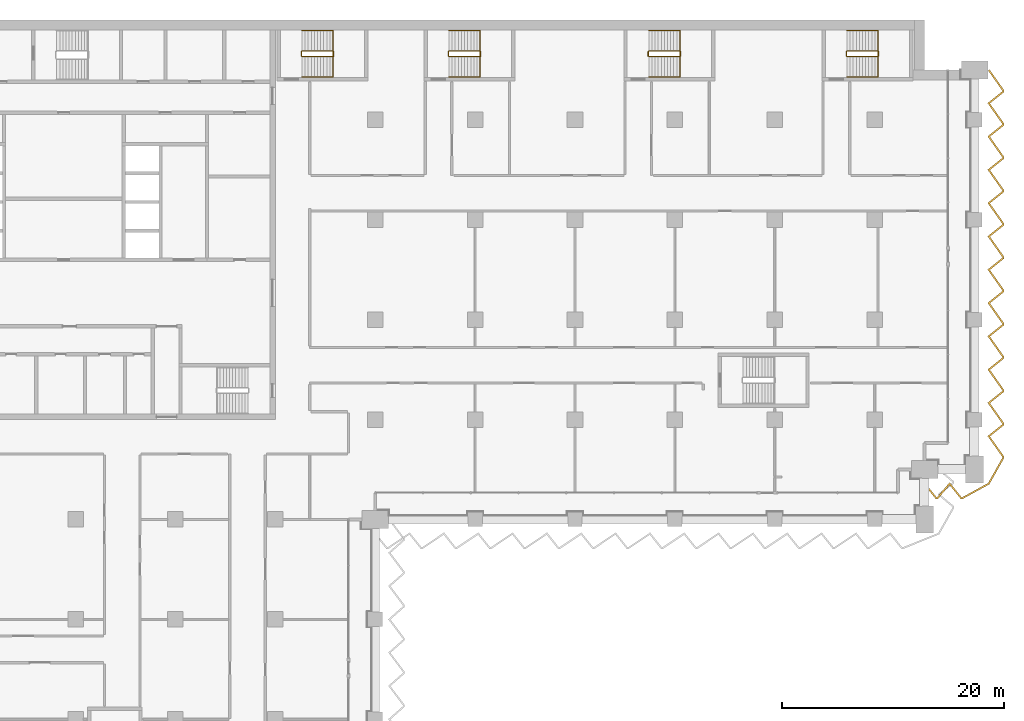
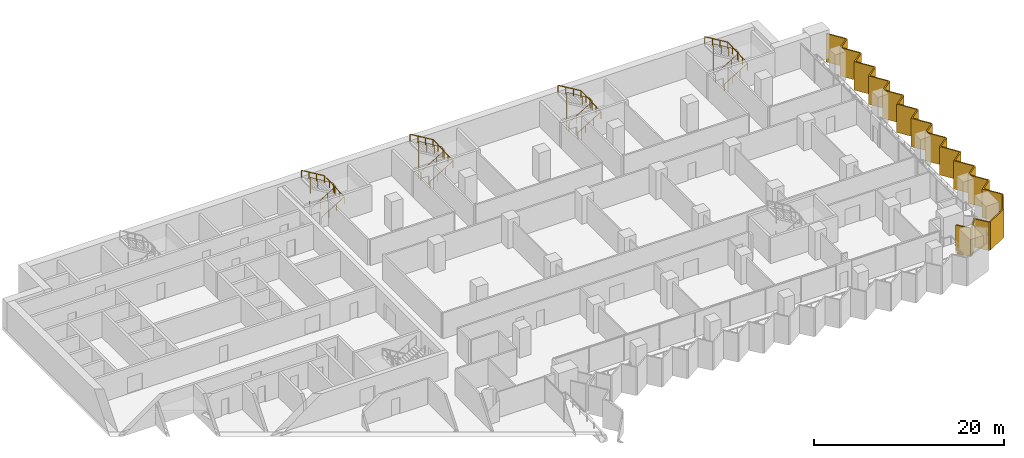
# One storey, part 27 of 28: 8 railings, 1 shading device.
"""IFC4 building model written with IfcOpenShell, lengths in metres."""

import ifcopenshell
import ifcopenshell.guid

model = None  # the IFC model being written
_history = None  # IfcOwnerHistory: only IFC2X3 demands one
_inside = {}  # id of a spatial element -> (the spatial element, [elements in it])
_under = {}  # id of a project, library or spatial element -> (it, [spatial elements below it])
_declared = {}  # id of a project -> (the project, [libraries it declares])
_typed = {}  # id of a type object -> (the type object, [elements of that type])
_made_of = {}  # id of a material, layer set ... -> (it, [elements and type objects made of it])


def new_model(schema):
    """Start an empty IFC model of exactly this schema.

    Asked for "IFC4X3", IfcOpenShell would pick the latest addendum, in which some entities
    have other attributes; the version numbers below select the first issue.
    IFC2X3 requires an IfcOwnerHistory on every rooted entity: one is made here for all.
    """
    global model, _history
    if schema == "IFC4X3":
        model = ifcopenshell.file(schema_version=(4, 3, 0, 0))
    else:
        model = ifcopenshell.file(schema=schema)
    _inside.clear()
    _under.clear()
    _declared.clear()
    _typed.clear()
    _made_of.clear()
    _history = None
    if model.schema == "IFC2X3":
        org = make("IfcOrganization", Name="unknown")
        user = make(
            "IfcPersonAndOrganization",
            ThePerson=make("IfcPerson", FamilyName="unknown"),
            TheOrganization=org,
        )
        app = make(
            "IfcApplication",
            ApplicationDeveloper=org,
            Version="unknown",
            ApplicationFullName="unknown",
            ApplicationIdentifier="unknown",
        )
        _history = make(
            "IfcOwnerHistory",
            OwningUser=user,
            OwningApplication=app,
            ChangeAction="ADDED",
            CreationDate=0,
        )
    return model


def make(cls, **values):
    """One entity of the class cls with the attributes given. An attribute that is None is left unset."""
    return model.create_entity(
        cls, **{name: value for name, value in values.items() if value is not None}
    )


def rooted(cls, **values):
    """An entity with a GlobalId (a new one), such as an element, a storey or a relation."""
    return make(cls, GlobalId=ifcopenshell.guid.new(), OwnerHistory=_history, **values)


def si_unit(unit_type, name, prefix=None):
    """IfcSIUnit, for example si_unit("LENGTHUNIT", "METRE", prefix="MILLI")."""
    return make("IfcSIUnit", UnitType=unit_type, Prefix=prefix, Name=name)


def assignment(units):
    """IfcUnitAssignment: the units of a project."""
    return None if units is None else make("IfcUnitAssignment", Units=units)


def point(xyz):
    """IfcCartesianPoint."""
    return None if xyz is None else make("IfcCartesianPoint", Coordinates=xyz)


def direction(xyz):
    """IfcDirection."""
    return None if xyz is None else make("IfcDirection", DirectionRatios=xyz)


def frame(location, z_axis=None, x_axis=None):
    """IfcAxis2Placement3D, a coordinate frame: its origin and axes. An axis left out is left unset."""
    return make(
        "IfcAxis2Placement3D",
        Location=point(location),
        Axis=direction(z_axis),
        RefDirection=direction(x_axis),
    )


def frame_2d(location, x_axis=None):
    """IfcAxis2Placement2D, a coordinate frame in the plane: its origin and x axis."""
    return make(
        "IfcAxis2Placement2D", Location=point(location), RefDirection=direction(x_axis)
    )


def origin():
    """The frame at (0, 0, 0) with its axes left unset."""
    return frame((0.0, 0.0, 0.0))


def origin_2d():
    """The frame at (0, 0) in the plane with its x axis left unset."""
    return frame_2d((0.0, 0.0))


def place(relative_to, where):
    """IfcLocalPlacement: puts the frame where relative to a parent placement (None: the world)."""
    return make(
        "IfcLocalPlacement", PlacementRelTo=relative_to, RelativePlacement=where
    )


def context(
    kind, dimensions, precision=None, world=None, true_north=None, identifier=None
):
    """IfcGeometricRepresentationContext, for example the 3D "Model" context."""
    return make(
        "IfcGeometricRepresentationContext",
        ContextIdentifier=identifier,
        ContextType=kind,
        CoordinateSpaceDimension=dimensions,
        Precision=precision,
        WorldCoordinateSystem=world,
        TrueNorth=true_north,
    )


def subcontext(parent, identifier, kind, view, scale=None):
    """IfcGeometricRepresentationSubContext, for example "Body" below "Model"."""
    return make(
        "IfcGeometricRepresentationSubContext",
        ContextIdentifier=identifier,
        ContextType=kind,
        ParentContext=parent,
        TargetScale=scale,
        TargetView=view,
    )


def project(units=None, contexts=None):
    """IfcProject with its units and contexts."""
    return rooted(
        "IfcProject",
        Name="project",
        RepresentationContexts=contexts,
        UnitsInContext=assignment(units),
    )


def spatial(cls, under=None, at=None, **own):
    """A site, building, storey or space (cls), placed at a placement, below another one or the project."""
    s = rooted(cls, ObjectPlacement=at, **own)
    if under is not None:
        _under.setdefault(under.id(), (under, []))[1].append(s)
    return s


def polyline(points):
    """IfcPolyline through the points."""
    return make("IfcPolyline", Points=[point(p) for p in points])


def profile(cls, at=None, kind="AREA", **sizes):
    """A parametric profile (cls). Its sizes go by their IFC names, for example OverallWidth=200.0."""
    return make(cls, ProfileType=kind, Position=at, **sizes)


def circle(**sizes):
    """IfcCircleProfileDef."""
    return profile("IfcCircleProfileDef", **sizes)


def outline(outer, holes=None, kind="AREA"):
    """IfcArbitraryClosedProfileDef: a profile drawn as a closed curve; with holes, ...WithVoids."""
    if holes is None:
        return make("IfcArbitraryClosedProfileDef", ProfileType=kind, OuterCurve=outer)
    return make(
        "IfcArbitraryProfileDefWithVoids",
        ProfileType=kind,
        OuterCurve=outer,
        InnerCurves=holes,
    )


def extrude(swept, where, along, depth):
    """IfcExtrudedAreaSolid: the profile swept, set in the frame where, extruded along a direction by depth."""
    return make(
        "IfcExtrudedAreaSolid",
        SweptArea=swept,
        Position=where,
        ExtrudedDirection=direction(along),
        Depth=depth,
    )


def shape(context_of_items, identifier, shape_type, items):
    """IfcShapeRepresentation: the items that make up one representation, for example the "Body"."""
    return make(
        "IfcShapeRepresentation",
        ContextOfItems=context_of_items,
        RepresentationIdentifier=identifier,
        RepresentationType=shape_type,
        Items=items,
    )


def material(Name=None, Category=None):
    """IfcMaterial."""
    return make("IfcMaterial", Name=Name, Category=Category)


def layer(
    of_material, thickness, ventilated=None, Name=None, Category=None, Priority=None
):
    """IfcMaterialLayer: one layer of a wall or slab, of a material (None: an air gap)."""
    return make(
        "IfcMaterialLayer",
        Material=of_material,
        LayerThickness=thickness,
        IsVentilated=ventilated,
        Name=Name,
        Category=Category,
        Priority=Priority,
    )


def layer_set(layers, Name=None):
    """IfcMaterialLayerSet."""
    return make("IfcMaterialLayerSet", MaterialLayers=layers, LayerSetName=Name)


def made_of(thing, what):
    """Note that an element or type object is made of a material, layer set ...; save() writes the relation."""
    if what is not None:
        _made_of.setdefault(what.id(), (what, []))[1].append(thing)
    return thing


def type_object(cls, material=None, **own):
    """A type object (cls), such as IfcWallType, which elements share."""
    return made_of(rooted(cls, **own), material)


def element(
    cls,
    number,
    at=None,
    inside=None,
    cuts=None,
    type_object=None,
    material=None,
    context=None,
    identifier="Body",
    shape_type=None,
    held_by="IfcProductDefinitionShape",
    body=None,
    shapes=None,
    **own,
):
    """One element of the class cls, such as IfcWall. Its Tag is "e" and its number.

    at: its placement. inside: the storey or other place that contains it. cuts: it is an
    opening in that element (IfcRelVoidsElement). A single representation is given by context,
    identifier, shape_type and body (its items); several are given by shapes. held_by: the class
    of the entity that holds the representations. save() writes the other relations.
    """
    e = rooted(cls, Tag="e%d" % number, ObjectPlacement=at, **own)
    if body is not None:
        shapes = [shape(context, identifier, shape_type, body)]
    if shapes is not None:
        e.Representation = make(held_by, Representations=shapes)
    if inside is not None:
        _inside.setdefault(inside.id(), (inside, []))[1].append(e)
    if cuts is not None:
        rooted(
            "IfcRelVoidsElement", RelatingBuildingElement=cuts, RelatedOpeningElement=e
        )
    if type_object is not None:
        _typed.setdefault(type_object.id(), (type_object, []))[1].append(e)
    return made_of(e, material)


def aggregate(whole, parts):
    """IfcRelAggregates: a whole, such as a stair, and the parts it consists of."""
    return rooted("IfcRelAggregates", RelatingObject=whole, RelatedObjects=parts)


def save(model, path):
    """Write the relations noted so far, then the file.

    IfcRelAggregates (storeys below a building ...), IfcRelContainedInSpatialStructure (elements
    in a storey), IfcRelDefinesByType, IfcRelAssociatesMaterial and IfcRelDeclares: one each for
    every whole, place, type object, material and project.
    """
    for whole, parts in _under.values():
        aggregate(whole, parts)
    for where, things in _inside.values():
        rooted(
            "IfcRelContainedInSpatialStructure",
            RelatedElements=things,
            RelatingStructure=where,
        )
    for kind, things in _typed.values():
        rooted("IfcRelDefinesByType", RelatedObjects=things, RelatingType=kind)
    for what, things in _made_of.values():
        rooted("IfcRelAssociatesMaterial", RelatedObjects=things, RelatingMaterial=what)
    for by, libraries in _declared.values():
        rooted("IfcRelDeclares", RelatingContext=by, RelatedDefinitions=libraries)
    model.write(path)


model = new_model("IFC4")

# Units and contexts
model_context = context("Model", 3, precision=1e-05, world=origin(), true_north=direction((0.0, 1.0)))
body_context = subcontext(model_context, "Body", "Model", "MODEL_VIEW")
ifc_project = project(units=[si_unit("LENGTHUNIT", "METRE"), si_unit("AREAUNIT", "SQUARE_METRE"), si_unit("VOLUMEUNIT", "CUBIC_METRE"), si_unit("PLANEANGLEUNIT", "RADIAN"), si_unit("MASSUNIT", "GRAM", prefix="KILO")], contexts=[model_context])

# Site, building, storey
site_placement = place(None, origin())
site = spatial("IfcSite", under=ifc_project, at=site_placement, CompositionType="ELEMENT")
building_placement = place(site_placement, origin())
building = spatial("IfcBuilding", under=site, at=building_placement, Name="Hunhe Ridgeline Campus", CompositionType="ELEMENT")
storey_placement = place(building_placement, frame((0.0, 0.0, 61.699951171875)))
storey = spatial("IfcBuildingStorey", under=building, at=storey_placement, Name="L14", CompositionType="ELEMENT", Elevation=61.699951171875)

# Shading device
ifc_material_1 = material(Name="Concrete C50", Category="concrete")
ifc_layer = layer(ifc_material_1, 0.14990234375)
ifc_layer_set = layer_set([ifc_layer], Name="Sawtooth concrete fin 150 Concrete C50")
shading_device_type = type_object("IfcShadingDeviceType", Name="Sawtooth concrete fin 150 Concrete C50", PredefinedType="USERDEFINED", material=ifc_layer_set)
shading_device_placement = place(storey_placement, frame((0.0, 0.0, -0.949951171875)))
element("IfcShadingDevice", 1, at=shading_device_placement, inside=storey, type_object=shading_device_type, Name="Concrete fin screen 3", ObjectType="FIN", PredefinedType="USERDEFINED", context=body_context, shape_type="SweptSolid", body=[
    extrude(outline(polyline([(94.55859375, 57.271728515625), (94.44140625, 57.17822265625), (95.500732421875, 55.85009765625), (95.69189453125, 55.85009765625), (96.74853515625, 57.106689453125), (97.750732421875, 55.85009765625), (97.926025390625, 55.85009765625), (100.329833984375, 57.169677734375), (101.64990234375, 59.51708984375), (101.64990234375, 59.6806640625), (100.376953125, 61.4853515625), (101.64990234375, 62.500732421875), (101.64990234375, 62.6806640625), (100.376953125, 64.4853515625), (101.64990234375, 65.500732421875), (101.64990234375, 65.6806640625), (100.376953125, 67.4853515625), (101.64990234375, 68.500732421875), (101.64990234375, 68.6806640625), (100.376953125, 70.4853515625), (101.64990234375, 71.500732421875), (101.64990234375, 71.6806640625), (100.376953125, 73.4853515625), (101.64990234375, 74.500732421875), (101.64990234375, 74.6806640625), (100.376953125, 76.4853515625), (101.64990234375, 77.500732421875), (101.64990234375, 77.6806640625), (100.376953125, 79.4853515625), (101.64990234375, 80.500732421875), (101.64990234375, 80.6806640625), (100.376953125, 82.4853515625), (101.64990234375, 83.500732421875), (101.64990234375, 83.6806640625), (100.376953125, 85.4853515625), (101.64990234375, 86.500732421875), (101.64990234375, 86.6806640625), (100.376953125, 88.4853515625), (101.64990234375, 89.500732421875), (101.64990234375, 89.6806640625), (100.376953125, 91.4853515625), (101.64990234375, 92.500732421875), (101.64990234375, 92.6806640625), (100.336181640625, 94.543212890625), (100.213623046875, 94.456787109375), (101.5, 92.633056640625), (101.5, 92.572998046875), (100.1728515625, 91.5146484375), (101.5, 89.633056640625), (101.5, 89.572998046875), (100.1728515625, 88.5146484375), (101.5, 86.633056640625), (101.5, 86.572998046875), (100.1728515625, 85.5146484375), (101.5, 83.633056640625), (101.5, 83.572998046875), (100.1728515625, 82.5146484375), (101.5, 80.633056640625), (101.5, 80.572998046875), (100.1728515625, 79.5146484375), (101.5, 77.633056640625), (101.5, 77.572998046875), (100.1728515625, 76.5146484375), (101.5, 74.633056640625), (101.5, 74.572998046875), (100.1728515625, 73.5146484375), (101.5, 71.633056640625), (101.5, 71.572998046875), (100.1728515625, 70.5146484375), (101.5, 68.633056640625), (101.5, 68.572998046875), (100.1728515625, 67.5146484375), (101.5, 65.633056640625), (101.5, 65.572998046875), (100.1728515625, 64.5146484375), (101.5, 62.633056640625), (101.5, 62.572998046875), (100.1728515625, 61.5146484375), (101.5, 59.633056640625), (101.5, 59.556396484375), (100.22021484375, 57.280517578125), (97.8876953125, 56.0), (97.822998046875, 56.0), (96.75146484375, 57.34326171875), (95.621826171875, 56.0), (95.572998046875, 56.0), (94.55859375, 57.271728515625)])), origin(), (0.0, 0.0, 1.0), 3.64990234375),
])

# Railings
ifc_material_2 = material(Name="Stainless steel balustrade", Category="steel")
railing_type_1 = type_object("IfcRailingType", Name="Stair guard 1100 stainless", PredefinedType="GUARDRAIL", material=ifc_material_2)
railing_1_placement = place(storey_placement, frame((38.39990234375, 95.699951171875, 0.168212890625)))
element("IfcRailing", 2, at=railing_1_placement, inside=storey, type_object=railing_type_1, Name="L14 stair E1 guard", PredefinedType="GUARDRAIL", context=body_context, shape_type="SweptSolid", body=[
    extrude(circle(Radius=0.02392578125, at=origin_2d()), frame((0.0, 0.0, 1.076171875), z_axis=(0.857242210791, 0.0, 0.514913383045), x_axis=(0.0, 1.0, 0.0)), (0.0, 0.0, 1.0), 3.266357421875),
    extrude(circle(Radius=0.02392578125, at=origin_2d()), frame((2.800048828125, 0.0, 2.7578125), z_axis=(0.707106781187, 0.707106781187, 0.0), x_axis=(-0.707106781187, 0.707106781187, 0.0)), (0.0, 0.0, 1.0), 0.07080078125),
    extrude(circle(Radius=0.02392578125, at=origin_2d()), frame((2.85009765625, 0.050048828125, 2.7578125), z_axis=(0.0, 1.0, 0.0), x_axis=(-1.0, 0.0, 0.0)), (0.0, 0.0, 1.0), 0.39990234375),
    extrude(circle(Radius=0.02392578125, at=origin_2d()), frame((2.85009765625, 0.449951171875, 2.7578125), z_axis=(-0.274243871929, 0.274243871929, 0.92172696468), x_axis=(-0.707106781187, -0.707106781187, 0.0)), (0.0, 0.0, 1.0), 0.1826171875),
    extrude(circle(Radius=0.02392578125, at=origin_2d()), frame((2.800048828125, 0.5, 2.92626953125), z_axis=(-0.857275202839, 0.0, 0.514858452973), x_axis=(0.0, -1.0, 0.0)), (0.0, 0.0, 1.0), 3.26611328125),
    extrude(circle(Radius=0.02392578125, at=origin_2d()), frame((0.0, 0.5, 4.60791015625), z_axis=(-0.013458453615, -0.013524426427, -0.999817963389), x_axis=(0.708833529934, -0.705375805398, 0.0)), (0.0, 0.0, 1.0), 3.70068359375),
    extrude(circle(Radius=0.02392578125, at=origin_2d()), frame((-0.0498046875, 0.449951171875, 0.90771484375), z_axis=(0.0, -1.0, 0.0), x_axis=(1.0, 0.0, 0.0)), (0.0, 0.0, 1.0), 0.39990234375),
    extrude(circle(Radius=0.02099609375, at=origin_2d()), origin(), (0.0, 0.0, 1.0), 1.052001953125),
    extrude(circle(Radius=0.02099609375, at=origin_2d()), frame((0.933349609375, 0.0, 0.560546875)), (0.0, 0.0, 1.0), 1.052001953125),
    extrude(circle(Radius=0.02099609375, at=origin_2d()), frame((1.86669921875, 0.0, 1.121337890625)), (0.0, 0.0, 1.0), 1.052001953125),
    extrude(circle(Radius=0.02099609375, at=origin_2d()), frame((2.800048828125, 0.0, 1.681884765625)), (0.0, 0.0, 1.0), 1.052001953125),
    extrude(circle(Radius=0.02099609375, at=origin_2d()), frame((2.85009765625, 0.050048828125, 1.681884765625)), (0.0, 0.0, 1.0), 1.052001953125),
    extrude(circle(Radius=0.02099609375, at=origin_2d()), frame((2.85009765625, 0.449951171875, 1.681884765625)), (0.0, 0.0, 1.0), 1.052001953125),
    extrude(circle(Radius=0.02099609375, at=origin_2d()), frame((2.800048828125, 0.5, 1.85009765625)), (0.0, 0.0, 1.0), 1.052001953125),
    extrude(circle(Radius=0.02099609375, at=origin_2d()), frame((1.86669921875, 0.5, 2.41064453125)), (0.0, 0.0, 1.0), 1.052001953125),
    extrude(circle(Radius=0.02099609375, at=origin_2d()), frame((0.933349609375, 0.5, 2.97119140625)), (0.0, 0.0, 1.0), 1.052001953125),
    extrude(circle(Radius=0.02099609375, at=origin_2d()), frame((0.0, 0.5, 3.53173828125)), (0.0, 0.0, 1.0), 1.052001953125),
    extrude(circle(Radius=0.02099609375, at=origin_2d()), frame((-0.012451171875, 0.487548828125, 2.606689453125)), (0.0, 0.0, 1.0), 1.052001953125),
    extrude(circle(Radius=0.02099609375, at=origin_2d()), frame((-0.02490234375, 0.47509765625, 1.681640625)), (0.0, 0.0, 1.0), 1.052001953125),
    extrude(circle(Radius=0.02099609375, at=origin_2d()), frame((-0.037353515625, 0.46240234375, 0.7568359375)), (0.0, 0.0, 1.0), 1.052001953125),
    extrude(circle(Radius=0.02099609375, at=origin_2d()), frame((-0.0498046875, 0.449951171875, -0.168212890625)), (0.0, 0.0, 1.0), 1.052001953125),
    extrude(circle(Radius=0.02099609375, at=origin_2d()), frame((-0.0498046875, 0.050048828125, -0.168212890625)), (0.0, 0.0, 1.0), 1.052001953125),
])
railing_2_placement = place(storey_placement, frame((51.64990234375, 95.699951171875, 0.168212890625)))
element("IfcRailing", 3, at=railing_2_placement, inside=storey, type_object=railing_type_1, Name="L14 stair E2 guard", PredefinedType="GUARDRAIL", context=body_context, shape_type="SweptSolid", body=[
    extrude(circle(Radius=0.02392578125, at=origin_2d()), frame((0.0, 0.0, 1.076171875), z_axis=(0.857242210791, 0.0, 0.514913383045), x_axis=(0.0, 1.0, 0.0)), (0.0, 0.0, 1.0), 3.266357421875),
    extrude(circle(Radius=0.02392578125, at=origin_2d()), frame((2.800048828125, 0.0, 2.7578125), z_axis=(0.707106781187, 0.707106781187, 0.0), x_axis=(-0.707106781187, 0.707106781187, 0.0)), (0.0, 0.0, 1.0), 0.07080078125),
    extrude(circle(Radius=0.02392578125, at=origin_2d()), frame((2.85009765625, 0.050048828125, 2.7578125), z_axis=(0.0, 1.0, 0.0), x_axis=(-1.0, 0.0, 0.0)), (0.0, 0.0, 1.0), 0.39990234375),
    extrude(circle(Radius=0.02392578125, at=origin_2d()), frame((2.85009765625, 0.449951171875, 2.7578125), z_axis=(-0.274243871929, 0.274243871929, 0.92172696468), x_axis=(-0.707106781187, -0.707106781187, 0.0)), (0.0, 0.0, 1.0), 0.1826171875),
    extrude(circle(Radius=0.02392578125, at=origin_2d()), frame((2.800048828125, 0.5, 2.92626953125), z_axis=(-0.857275202839, 0.0, 0.514858452973), x_axis=(0.0, -1.0, 0.0)), (0.0, 0.0, 1.0), 3.26611328125),
    extrude(circle(Radius=0.02392578125, at=origin_2d()), frame((0.0, 0.5, 4.60791015625), z_axis=(-0.013458453615, -0.013524426427, -0.999817963389), x_axis=(0.708833529934, -0.705375805398, 0.0)), (0.0, 0.0, 1.0), 3.70068359375),
    extrude(circle(Radius=0.02392578125, at=origin_2d()), frame((-0.0498046875, 0.449951171875, 0.90771484375), z_axis=(0.0, -1.0, 0.0), x_axis=(1.0, 0.0, 0.0)), (0.0, 0.0, 1.0), 0.39990234375),
    extrude(circle(Radius=0.02099609375, at=origin_2d()), origin(), (0.0, 0.0, 1.0), 1.052001953125),
    extrude(circle(Radius=0.02099609375, at=origin_2d()), frame((0.933349609375, 0.0, 0.560546875)), (0.0, 0.0, 1.0), 1.052001953125),
    extrude(circle(Radius=0.02099609375, at=origin_2d()), frame((1.86669921875, 0.0, 1.121337890625)), (0.0, 0.0, 1.0), 1.052001953125),
    extrude(circle(Radius=0.02099609375, at=origin_2d()), frame((2.800048828125, 0.0, 1.681884765625)), (0.0, 0.0, 1.0), 1.052001953125),
    extrude(circle(Radius=0.02099609375, at=origin_2d()), frame((2.85009765625, 0.050048828125, 1.681884765625)), (0.0, 0.0, 1.0), 1.052001953125),
    extrude(circle(Radius=0.02099609375, at=origin_2d()), frame((2.85009765625, 0.449951171875, 1.681884765625)), (0.0, 0.0, 1.0), 1.052001953125),
    extrude(circle(Radius=0.02099609375, at=origin_2d()), frame((2.800048828125, 0.5, 1.85009765625)), (0.0, 0.0, 1.0), 1.052001953125),
    extrude(circle(Radius=0.02099609375, at=origin_2d()), frame((1.86669921875, 0.5, 2.41064453125)), (0.0, 0.0, 1.0), 1.052001953125),
    extrude(circle(Radius=0.02099609375, at=origin_2d()), frame((0.933349609375, 0.5, 2.97119140625)), (0.0, 0.0, 1.0), 1.052001953125),
    extrude(circle(Radius=0.02099609375, at=origin_2d()), frame((0.0, 0.5, 3.53173828125)), (0.0, 0.0, 1.0), 1.052001953125),
    extrude(circle(Radius=0.02099609375, at=origin_2d()), frame((-0.012451171875, 0.487548828125, 2.606689453125)), (0.0, 0.0, 1.0), 1.052001953125),
    extrude(circle(Radius=0.02099609375, at=origin_2d()), frame((-0.02490234375, 0.47509765625, 1.681640625)), (0.0, 0.0, 1.0), 1.052001953125),
    extrude(circle(Radius=0.02099609375, at=origin_2d()), frame((-0.037353515625, 0.46240234375, 0.7568359375)), (0.0, 0.0, 1.0), 1.052001953125),
    extrude(circle(Radius=0.02099609375, at=origin_2d()), frame((-0.0498046875, 0.449951171875, -0.168212890625)), (0.0, 0.0, 1.0), 1.052001953125),
    extrude(circle(Radius=0.02099609375, at=origin_2d()), frame((-0.0498046875, 0.050048828125, -0.168212890625)), (0.0, 0.0, 1.0), 1.052001953125),
])
railing_3_placement = place(storey_placement, frame((69.64990234375, 95.699951171875, 0.168212890625)))
element("IfcRailing", 4, at=railing_3_placement, inside=storey, type_object=railing_type_1, Name="L14 stair E3 guard", PredefinedType="GUARDRAIL", context=body_context, shape_type="SweptSolid", body=[
    extrude(circle(Radius=0.02392578125, at=origin_2d()), frame((0.0, 0.0, 1.076171875), z_axis=(0.857242210791, 0.0, 0.514913383045), x_axis=(0.0, 1.0, 0.0)), (0.0, 0.0, 1.0), 3.266357421875),
    extrude(circle(Radius=0.02392578125, at=origin_2d()), frame((2.800048828125, 0.0, 2.7578125), z_axis=(0.707106781187, 0.707106781187, 0.0), x_axis=(-0.707106781187, 0.707106781187, 0.0)), (0.0, 0.0, 1.0), 0.07080078125),
    extrude(circle(Radius=0.02392578125, at=origin_2d()), frame((2.85009765625, 0.050048828125, 2.7578125), z_axis=(0.0, 1.0, 0.0), x_axis=(-1.0, 0.0, 0.0)), (0.0, 0.0, 1.0), 0.39990234375),
    extrude(circle(Radius=0.02392578125, at=origin_2d()), frame((2.85009765625, 0.449951171875, 2.7578125), z_axis=(-0.274243871929, 0.274243871929, 0.92172696468), x_axis=(-0.707106781187, -0.707106781187, 0.0)), (0.0, 0.0, 1.0), 0.1826171875),
    extrude(circle(Radius=0.02392578125, at=origin_2d()), frame((2.800048828125, 0.5, 2.92626953125), z_axis=(-0.857275202839, 0.0, 0.514858452973), x_axis=(0.0, -1.0, 0.0)), (0.0, 0.0, 1.0), 3.26611328125),
    extrude(circle(Radius=0.02392578125, at=origin_2d()), frame((0.0, 0.5, 4.60791015625), z_axis=(-0.013458453615, -0.013524426427, -0.999817963389), x_axis=(0.708833529934, -0.705375805398, 0.0)), (0.0, 0.0, 1.0), 3.70068359375),
    extrude(circle(Radius=0.02392578125, at=origin_2d()), frame((-0.0498046875, 0.449951171875, 0.90771484375), z_axis=(0.0, -1.0, 0.0), x_axis=(1.0, 0.0, 0.0)), (0.0, 0.0, 1.0), 0.39990234375),
    extrude(circle(Radius=0.02099609375, at=origin_2d()), origin(), (0.0, 0.0, 1.0), 1.052001953125),
    extrude(circle(Radius=0.02099609375, at=origin_2d()), frame((0.933349609375, 0.0, 0.560546875)), (0.0, 0.0, 1.0), 1.052001953125),
    extrude(circle(Radius=0.02099609375, at=origin_2d()), frame((1.86669921875, 0.0, 1.121337890625)), (0.0, 0.0, 1.0), 1.052001953125),
    extrude(circle(Radius=0.02099609375, at=origin_2d()), frame((2.800048828125, 0.0, 1.681884765625)), (0.0, 0.0, 1.0), 1.052001953125),
    extrude(circle(Radius=0.02099609375, at=origin_2d()), frame((2.85009765625, 0.050048828125, 1.681884765625)), (0.0, 0.0, 1.0), 1.052001953125),
    extrude(circle(Radius=0.02099609375, at=origin_2d()), frame((2.85009765625, 0.449951171875, 1.681884765625)), (0.0, 0.0, 1.0), 1.052001953125),
    extrude(circle(Radius=0.02099609375, at=origin_2d()), frame((2.800048828125, 0.5, 1.85009765625)), (0.0, 0.0, 1.0), 1.052001953125),
    extrude(circle(Radius=0.02099609375, at=origin_2d()), frame((1.86669921875, 0.5, 2.41064453125)), (0.0, 0.0, 1.0), 1.052001953125),
    extrude(circle(Radius=0.02099609375, at=origin_2d()), frame((0.933349609375, 0.5, 2.97119140625)), (0.0, 0.0, 1.0), 1.052001953125),
    extrude(circle(Radius=0.02099609375, at=origin_2d()), frame((0.0, 0.5, 3.53173828125)), (0.0, 0.0, 1.0), 1.052001953125),
    extrude(circle(Radius=0.02099609375, at=origin_2d()), frame((-0.012451171875, 0.487548828125, 2.606689453125)), (0.0, 0.0, 1.0), 1.052001953125),
    extrude(circle(Radius=0.02099609375, at=origin_2d()), frame((-0.02490234375, 0.47509765625, 1.681640625)), (0.0, 0.0, 1.0), 1.052001953125),
    extrude(circle(Radius=0.02099609375, at=origin_2d()), frame((-0.037353515625, 0.46240234375, 0.7568359375)), (0.0, 0.0, 1.0), 1.052001953125),
    extrude(circle(Radius=0.02099609375, at=origin_2d()), frame((-0.0498046875, 0.449951171875, -0.168212890625)), (0.0, 0.0, 1.0), 1.052001953125),
    extrude(circle(Radius=0.02099609375, at=origin_2d()), frame((-0.0498046875, 0.050048828125, -0.168212890625)), (0.0, 0.0, 1.0), 1.052001953125),
])
railing_4_placement = place(storey_placement, frame((87.5, 95.699951171875, 0.168212890625)))
element("IfcRailing", 5, at=railing_4_placement, inside=storey, type_object=railing_type_1, Name="L14 stair E4 guard", PredefinedType="GUARDRAIL", context=body_context, shape_type="SweptSolid", body=[
    extrude(circle(Radius=0.02392578125, at=origin_2d()), frame((0.0, 0.0, 1.076171875), z_axis=(0.857242210791, 0.0, 0.514913383045), x_axis=(0.0, 1.0, 0.0)), (0.0, 0.0, 1.0), 3.266357421875),
    extrude(circle(Radius=0.02392578125, at=origin_2d()), frame((2.800048828125, 0.0, 2.7578125), z_axis=(0.707106781187, 0.707106781187, 0.0), x_axis=(-0.707106781187, 0.707106781187, 0.0)), (0.0, 0.0, 1.0), 0.07080078125),
    extrude(circle(Radius=0.02392578125, at=origin_2d()), frame((2.85009765625, 0.050048828125, 2.7578125), z_axis=(0.0, 1.0, 0.0), x_axis=(-1.0, 0.0, 0.0)), (0.0, 0.0, 1.0), 0.39990234375),
    extrude(circle(Radius=0.02392578125, at=origin_2d()), frame((2.85009765625, 0.449951171875, 2.7578125), z_axis=(-0.274243871929, 0.274243871929, 0.92172696468), x_axis=(-0.707106781187, -0.707106781187, 0.0)), (0.0, 0.0, 1.0), 0.1826171875),
    extrude(circle(Radius=0.02392578125, at=origin_2d()), frame((2.800048828125, 0.5, 2.92626953125), z_axis=(-0.857275202839, 0.0, 0.514858452973), x_axis=(0.0, -1.0, 0.0)), (0.0, 0.0, 1.0), 3.26611328125),
    extrude(circle(Radius=0.02392578125, at=origin_2d()), frame((0.0, 0.5, 4.60791015625), z_axis=(-0.013524414389, -0.013524414389, -0.999817073484), x_axis=(0.707106781187, -0.707106781187, 0.0)), (0.0, 0.0, 1.0), 3.70068359375),
    extrude(circle(Radius=0.02392578125, at=origin_2d()), frame((-0.050048828125, 0.449951171875, 0.90771484375), z_axis=(0.0, -1.0, 0.0), x_axis=(1.0, 0.0, 0.0)), (0.0, 0.0, 1.0), 0.39990234375),
    extrude(circle(Radius=0.02099609375, at=origin_2d()), origin(), (0.0, 0.0, 1.0), 1.052001953125),
    extrude(circle(Radius=0.02099609375, at=origin_2d()), frame((0.933349609375, 0.0, 0.560546875)), (0.0, 0.0, 1.0), 1.052001953125),
    extrude(circle(Radius=0.02099609375, at=origin_2d()), frame((1.86669921875, 0.0, 1.121337890625)), (0.0, 0.0, 1.0), 1.052001953125),
    extrude(circle(Radius=0.02099609375, at=origin_2d()), frame((2.800048828125, 0.0, 1.681884765625)), (0.0, 0.0, 1.0), 1.052001953125),
    extrude(circle(Radius=0.02099609375, at=origin_2d()), frame((2.85009765625, 0.050048828125, 1.681884765625)), (0.0, 0.0, 1.0), 1.052001953125),
    extrude(circle(Radius=0.02099609375, at=origin_2d()), frame((2.85009765625, 0.449951171875, 1.681884765625)), (0.0, 0.0, 1.0), 1.052001953125),
    extrude(circle(Radius=0.02099609375, at=origin_2d()), frame((2.800048828125, 0.5, 1.85009765625)), (0.0, 0.0, 1.0), 1.052001953125),
    extrude(circle(Radius=0.02099609375, at=origin_2d()), frame((1.86669921875, 0.5, 2.41064453125)), (0.0, 0.0, 1.0), 1.052001953125),
    extrude(circle(Radius=0.02099609375, at=origin_2d()), frame((0.933349609375, 0.5, 2.97119140625)), (0.0, 0.0, 1.0), 1.052001953125),
    extrude(circle(Radius=0.02099609375, at=origin_2d()), frame((0.0, 0.5, 3.53173828125)), (0.0, 0.0, 1.0), 1.052001953125),
    extrude(circle(Radius=0.02099609375, at=origin_2d()), frame((-0.012451171875, 0.487548828125, 2.606689453125)), (0.0, 0.0, 1.0), 1.052001953125),
    extrude(circle(Radius=0.02099609375, at=origin_2d()), frame((-0.02490234375, 0.47509765625, 1.681640625)), (0.0, 0.0, 1.0), 1.052001953125),
    extrude(circle(Radius=0.02099609375, at=origin_2d()), frame((-0.03759765625, 0.46240234375, 0.7568359375)), (0.0, 0.0, 1.0), 1.052001953125),
    extrude(circle(Radius=0.02099609375, at=origin_2d()), frame((-0.050048828125, 0.449951171875, -0.168212890625)), (0.0, 0.0, 1.0), 1.052001953125),
    extrude(circle(Radius=0.02099609375, at=origin_2d()), frame((-0.050048828125, 0.050048828125, -0.168212890625)), (0.0, 0.0, 1.0), 1.052001953125),
])
ifc_material_3 = material(Name="Stainless steel handrail", Category="steel")
railing_type_2 = type_object("IfcRailingType", Name="Stair handrail 900 stainless", PredefinedType="HANDRAIL", material=ifc_material_3)
railing_5_placement = place(storey_placement, frame((38.39990234375, 93.85009765625, 0.168212890625)))
element("IfcRailing", 6, at=railing_5_placement, inside=storey, type_object=railing_type_2, Name="L14 stair E1 handrail", PredefinedType="HANDRAIL", context=body_context, shape_type="SweptSolid", body=[
    extrude(circle(Radius=0.02392578125, at=origin_2d()), frame((0.0, 0.0, 0.8759765625), z_axis=(0.857242210791, 0.0, 0.514913383045), x_axis=(0.0, 1.0, 0.0)), (0.0, 0.0, 1.0), 3.266357421875),
    extrude(circle(Radius=0.02392578125, at=origin_2d()), frame((2.800048828125, 0.0, 2.5576171875), z_axis=(0.0, 0.999198916169, 0.040019069537), x_axis=(-1.0, 0.0, 0.0)), (0.0, 0.0, 1.0), 4.203369140625),
    extrude(circle(Radius=0.02392578125, at=origin_2d()), frame((2.800048828125, 4.199951171875, 2.72607421875), z_axis=(-0.857275202839, 0.0, 0.514858452973), x_axis=(0.0, -1.0, 0.0)), (0.0, 0.0, 1.0), 3.26611328125),
    extrude(circle(Radius=0.02099609375, at=origin_2d()), origin(), (0.0, 0.0, 1.0), 0.851806640625),
    extrude(circle(Radius=0.02099609375, at=origin_2d()), frame((0.933349609375, 0.0, 0.560546875)), (0.0, 0.0, 1.0), 0.851806640625),
    extrude(circle(Radius=0.02099609375, at=origin_2d()), frame((1.86669921875, 0.0, 1.121337890625)), (0.0, 0.0, 1.0), 0.851806640625),
    extrude(circle(Radius=0.02099609375, at=origin_2d()), frame((2.800048828125, 0.0, 1.681884765625)), (0.0, 0.0, 1.0), 0.851806640625),
    extrude(circle(Radius=0.02099609375, at=origin_2d()), frame((2.800048828125, 1.050048828125, 1.723876953125)), (0.0, 0.0, 1.0), 0.851806640625),
    extrude(circle(Radius=0.02099609375, at=origin_2d()), frame((2.800048828125, 2.10009765625, 1.76611328125)), (0.0, 0.0, 1.0), 0.851806640625),
    extrude(circle(Radius=0.02099609375, at=origin_2d()), frame((2.800048828125, 3.14990234375, 1.80810546875)), (0.0, 0.0, 1.0), 0.851806640625),
    extrude(circle(Radius=0.02099609375, at=origin_2d()), frame((2.800048828125, 4.199951171875, 1.85009765625)), (0.0, 0.0, 1.0), 0.851806640625),
    extrude(circle(Radius=0.02099609375, at=origin_2d()), frame((1.86669921875, 4.199951171875, 2.41064453125)), (0.0, 0.0, 1.0), 0.851806640625),
    extrude(circle(Radius=0.02099609375, at=origin_2d()), frame((0.933349609375, 4.199951171875, 2.97119140625)), (0.0, 0.0, 1.0), 0.851806640625),
    extrude(circle(Radius=0.02099609375, at=origin_2d()), frame((0.0, 4.199951171875, 3.53173828125)), (0.0, 0.0, 1.0), 0.851806640625),
])
railing_6_placement = place(storey_placement, frame((51.64990234375, 93.85009765625, 0.168212890625)))
element("IfcRailing", 7, at=railing_6_placement, inside=storey, type_object=railing_type_2, Name="L14 stair E2 handrail", PredefinedType="HANDRAIL", context=body_context, shape_type="SweptSolid", body=[
    extrude(circle(Radius=0.02392578125, at=origin_2d()), frame((0.0, 0.0, 0.8759765625), z_axis=(0.857242210791, 0.0, 0.514913383045), x_axis=(0.0, 1.0, 0.0)), (0.0, 0.0, 1.0), 3.266357421875),
    extrude(circle(Radius=0.02392578125, at=origin_2d()), frame((2.800048828125, 0.0, 2.5576171875), z_axis=(0.0, 0.999198916169, 0.040019069537), x_axis=(-1.0, 0.0, 0.0)), (0.0, 0.0, 1.0), 4.203369140625),
    extrude(circle(Radius=0.02392578125, at=origin_2d()), frame((2.800048828125, 4.199951171875, 2.72607421875), z_axis=(-0.857275202839, 0.0, 0.514858452973), x_axis=(0.0, -1.0, 0.0)), (0.0, 0.0, 1.0), 3.26611328125),
    extrude(circle(Radius=0.02099609375, at=origin_2d()), origin(), (0.0, 0.0, 1.0), 0.851806640625),
    extrude(circle(Radius=0.02099609375, at=origin_2d()), frame((0.933349609375, 0.0, 0.560546875)), (0.0, 0.0, 1.0), 0.851806640625),
    extrude(circle(Radius=0.02099609375, at=origin_2d()), frame((1.86669921875, 0.0, 1.121337890625)), (0.0, 0.0, 1.0), 0.851806640625),
    extrude(circle(Radius=0.02099609375, at=origin_2d()), frame((2.800048828125, 0.0, 1.681884765625)), (0.0, 0.0, 1.0), 0.851806640625),
    extrude(circle(Radius=0.02099609375, at=origin_2d()), frame((2.800048828125, 1.050048828125, 1.723876953125)), (0.0, 0.0, 1.0), 0.851806640625),
    extrude(circle(Radius=0.02099609375, at=origin_2d()), frame((2.800048828125, 2.10009765625, 1.76611328125)), (0.0, 0.0, 1.0), 0.851806640625),
    extrude(circle(Radius=0.02099609375, at=origin_2d()), frame((2.800048828125, 3.14990234375, 1.80810546875)), (0.0, 0.0, 1.0), 0.851806640625),
    extrude(circle(Radius=0.02099609375, at=origin_2d()), frame((2.800048828125, 4.199951171875, 1.85009765625)), (0.0, 0.0, 1.0), 0.851806640625),
    extrude(circle(Radius=0.02099609375, at=origin_2d()), frame((1.86669921875, 4.199951171875, 2.41064453125)), (0.0, 0.0, 1.0), 0.851806640625),
    extrude(circle(Radius=0.02099609375, at=origin_2d()), frame((0.933349609375, 4.199951171875, 2.97119140625)), (0.0, 0.0, 1.0), 0.851806640625),
    extrude(circle(Radius=0.02099609375, at=origin_2d()), frame((0.0, 4.199951171875, 3.53173828125)), (0.0, 0.0, 1.0), 0.851806640625),
])
railing_7_placement = place(storey_placement, frame((69.64990234375, 93.85009765625, 0.168212890625)))
element("IfcRailing", 8, at=railing_7_placement, inside=storey, type_object=railing_type_2, Name="L14 stair E3 handrail", PredefinedType="HANDRAIL", context=body_context, shape_type="SweptSolid", body=[
    extrude(circle(Radius=0.02392578125, at=origin_2d()), frame((0.0, 0.0, 0.8759765625), z_axis=(0.857242210791, 0.0, 0.514913383045), x_axis=(0.0, 1.0, 0.0)), (0.0, 0.0, 1.0), 3.266357421875),
    extrude(circle(Radius=0.02392578125, at=origin_2d()), frame((2.800048828125, 0.0, 2.5576171875), z_axis=(0.0, 0.999198916169, 0.040019069537), x_axis=(-1.0, 0.0, 0.0)), (0.0, 0.0, 1.0), 4.203369140625),
    extrude(circle(Radius=0.02392578125, at=origin_2d()), frame((2.800048828125, 4.199951171875, 2.72607421875), z_axis=(-0.857275202839, 0.0, 0.514858452973), x_axis=(0.0, -1.0, 0.0)), (0.0, 0.0, 1.0), 3.26611328125),
    extrude(circle(Radius=0.02099609375, at=origin_2d()), origin(), (0.0, 0.0, 1.0), 0.851806640625),
    extrude(circle(Radius=0.02099609375, at=origin_2d()), frame((0.933349609375, 0.0, 0.560546875)), (0.0, 0.0, 1.0), 0.851806640625),
    extrude(circle(Radius=0.02099609375, at=origin_2d()), frame((1.86669921875, 0.0, 1.121337890625)), (0.0, 0.0, 1.0), 0.851806640625),
    extrude(circle(Radius=0.02099609375, at=origin_2d()), frame((2.800048828125, 0.0, 1.681884765625)), (0.0, 0.0, 1.0), 0.851806640625),
    extrude(circle(Radius=0.02099609375, at=origin_2d()), frame((2.800048828125, 1.050048828125, 1.723876953125)), (0.0, 0.0, 1.0), 0.851806640625),
    extrude(circle(Radius=0.02099609375, at=origin_2d()), frame((2.800048828125, 2.10009765625, 1.76611328125)), (0.0, 0.0, 1.0), 0.851806640625),
    extrude(circle(Radius=0.02099609375, at=origin_2d()), frame((2.800048828125, 3.14990234375, 1.80810546875)), (0.0, 0.0, 1.0), 0.851806640625),
    extrude(circle(Radius=0.02099609375, at=origin_2d()), frame((2.800048828125, 4.199951171875, 1.85009765625)), (0.0, 0.0, 1.0), 0.851806640625),
    extrude(circle(Radius=0.02099609375, at=origin_2d()), frame((1.86669921875, 4.199951171875, 2.41064453125)), (0.0, 0.0, 1.0), 0.851806640625),
    extrude(circle(Radius=0.02099609375, at=origin_2d()), frame((0.933349609375, 4.199951171875, 2.97119140625)), (0.0, 0.0, 1.0), 0.851806640625),
    extrude(circle(Radius=0.02099609375, at=origin_2d()), frame((0.0, 4.199951171875, 3.53173828125)), (0.0, 0.0, 1.0), 0.851806640625),
])
railing_8_placement = place(storey_placement, frame((87.5, 93.85009765625, 0.168212890625)))
element("IfcRailing", 9, at=railing_8_placement, inside=storey, type_object=railing_type_2, Name="L14 stair E4 handrail", PredefinedType="HANDRAIL", context=body_context, shape_type="SweptSolid", body=[
    extrude(circle(Radius=0.02392578125, at=origin_2d()), frame((0.0, 0.0, 0.8759765625), z_axis=(0.857242210791, 0.0, 0.514913383045), x_axis=(0.0, 1.0, 0.0)), (0.0, 0.0, 1.0), 3.266357421875),
    extrude(circle(Radius=0.02392578125, at=origin_2d()), frame((2.800048828125, 0.0, 2.5576171875), z_axis=(0.0, 0.999198916169, 0.040019069537), x_axis=(-1.0, 0.0, 0.0)), (0.0, 0.0, 1.0), 4.203369140625),
    extrude(circle(Radius=0.02392578125, at=origin_2d()), frame((2.800048828125, 4.199951171875, 2.72607421875), z_axis=(-0.857275202839, 0.0, 0.514858452973), x_axis=(0.0, -1.0, 0.0)), (0.0, 0.0, 1.0), 3.26611328125),
    extrude(circle(Radius=0.02099609375, at=origin_2d()), origin(), (0.0, 0.0, 1.0), 0.851806640625),
    extrude(circle(Radius=0.02099609375, at=origin_2d()), frame((0.933349609375, 0.0, 0.560546875)), (0.0, 0.0, 1.0), 0.851806640625),
    extrude(circle(Radius=0.02099609375, at=origin_2d()), frame((1.86669921875, 0.0, 1.121337890625)), (0.0, 0.0, 1.0), 0.851806640625),
    extrude(circle(Radius=0.02099609375, at=origin_2d()), frame((2.800048828125, 0.0, 1.681884765625)), (0.0, 0.0, 1.0), 0.851806640625),
    extrude(circle(Radius=0.02099609375, at=origin_2d()), frame((2.800048828125, 1.050048828125, 1.723876953125)), (0.0, 0.0, 1.0), 0.851806640625),
    extrude(circle(Radius=0.02099609375, at=origin_2d()), frame((2.800048828125, 2.10009765625, 1.76611328125)), (0.0, 0.0, 1.0), 0.851806640625),
    extrude(circle(Radius=0.02099609375, at=origin_2d()), frame((2.800048828125, 3.14990234375, 1.80810546875)), (0.0, 0.0, 1.0), 0.851806640625),
    extrude(circle(Radius=0.02099609375, at=origin_2d()), frame((2.800048828125, 4.199951171875, 1.85009765625)), (0.0, 0.0, 1.0), 0.851806640625),
    extrude(circle(Radius=0.02099609375, at=origin_2d()), frame((1.86669921875, 4.199951171875, 2.41064453125)), (0.0, 0.0, 1.0), 0.851806640625),
    extrude(circle(Radius=0.02099609375, at=origin_2d()), frame((0.933349609375, 4.199951171875, 2.97119140625)), (0.0, 0.0, 1.0), 0.851806640625),
    extrude(circle(Radius=0.02099609375, at=origin_2d()), frame((0.0, 4.199951171875, 3.53173828125)), (0.0, 0.0, 1.0), 0.851806640625),
])

save(model, "model.ifc")
